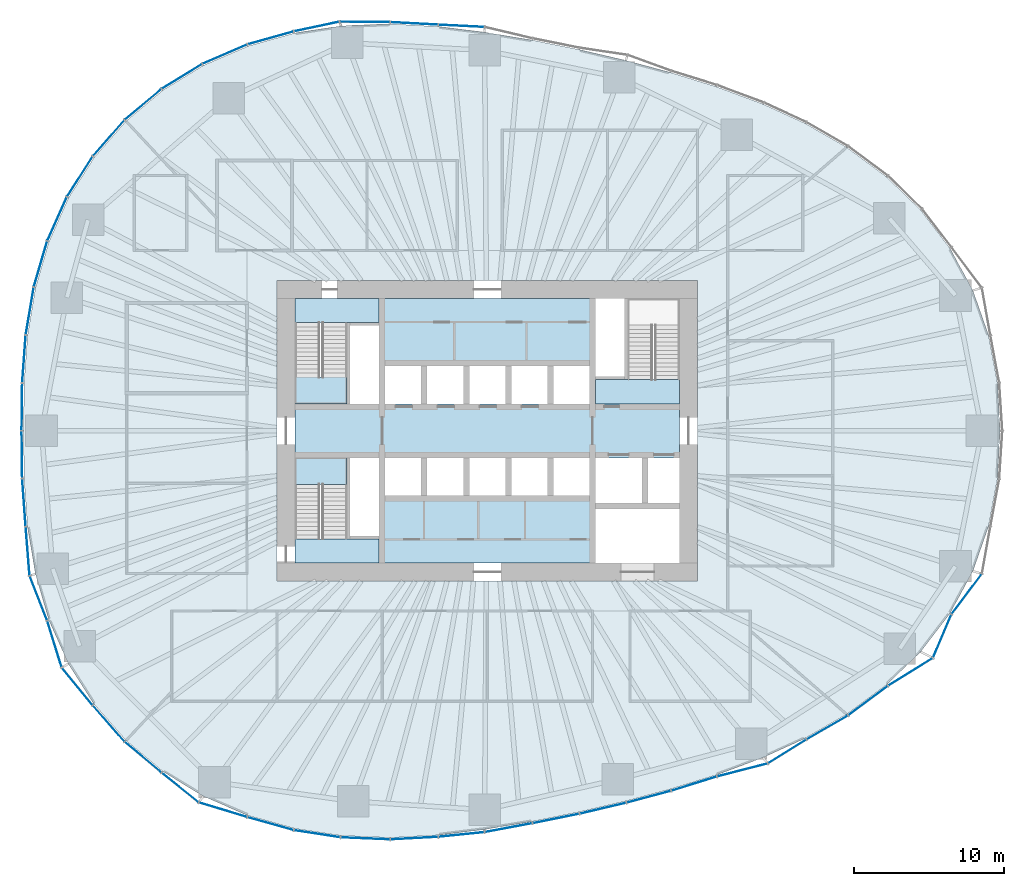
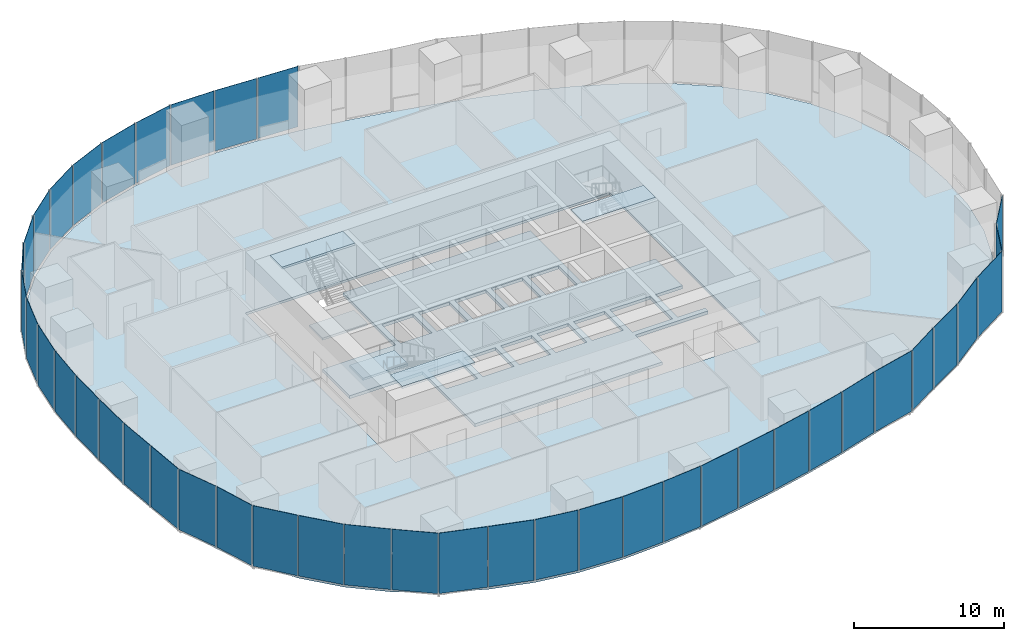
# One storey, part 8 of 20: 42 plates, 7 slabs, 17 elements without a shape of their own.
"""IFC4 building model written with IfcOpenShell, lengths in metres."""

import ifcopenshell
import ifcopenshell.guid

model = None  # the IFC model being written
_history = None  # IfcOwnerHistory: only IFC2X3 demands one
_inside = {}  # id of a spatial element -> (the spatial element, [elements in it])
_under = {}  # id of a project, library or spatial element -> (it, [spatial elements below it])
_declared = {}  # id of a project -> (the project, [libraries it declares])
_typed = {}  # id of a type object -> (the type object, [elements of that type])
_made_of = {}  # id of a material, layer set ... -> (it, [elements and type objects made of it])


def new_model(schema):
    """Start an empty IFC model of exactly this schema.

    Asked for "IFC4X3", IfcOpenShell would pick the latest addendum, in which some entities
    have other attributes; the version numbers below select the first issue.
    IFC2X3 requires an IfcOwnerHistory on every rooted entity: one is made here for all.
    """
    global model, _history
    if schema == "IFC4X3":
        model = ifcopenshell.file(schema_version=(4, 3, 0, 0))
    else:
        model = ifcopenshell.file(schema=schema)
    _inside.clear()
    _under.clear()
    _declared.clear()
    _typed.clear()
    _made_of.clear()
    _history = None
    if model.schema == "IFC2X3":
        org = make("IfcOrganization", Name="unknown")
        user = make(
            "IfcPersonAndOrganization",
            ThePerson=make("IfcPerson", FamilyName="unknown"),
            TheOrganization=org,
        )
        app = make(
            "IfcApplication",
            ApplicationDeveloper=org,
            Version="unknown",
            ApplicationFullName="unknown",
            ApplicationIdentifier="unknown",
        )
        _history = make(
            "IfcOwnerHistory",
            OwningUser=user,
            OwningApplication=app,
            ChangeAction="ADDED",
            CreationDate=0,
        )
    return model


def make(cls, **values):
    """One entity of the class cls with the attributes given. An attribute that is None is left unset."""
    return model.create_entity(
        cls, **{name: value for name, value in values.items() if value is not None}
    )


def rooted(cls, **values):
    """An entity with a GlobalId (a new one), such as an element, a storey or a relation."""
    return make(cls, GlobalId=ifcopenshell.guid.new(), OwnerHistory=_history, **values)


def si_unit(unit_type, name, prefix=None):
    """IfcSIUnit, for example si_unit("LENGTHUNIT", "METRE", prefix="MILLI")."""
    return make("IfcSIUnit", UnitType=unit_type, Prefix=prefix, Name=name)


def assignment(units):
    """IfcUnitAssignment: the units of a project."""
    return None if units is None else make("IfcUnitAssignment", Units=units)


def point(xyz):
    """IfcCartesianPoint."""
    return None if xyz is None else make("IfcCartesianPoint", Coordinates=xyz)


def direction(xyz):
    """IfcDirection."""
    return None if xyz is None else make("IfcDirection", DirectionRatios=xyz)


def frame(location, z_axis=None, x_axis=None):
    """IfcAxis2Placement3D, a coordinate frame: its origin and axes. An axis left out is left unset."""
    return make(
        "IfcAxis2Placement3D",
        Location=point(location),
        Axis=direction(z_axis),
        RefDirection=direction(x_axis),
    )


def frame_2d(location, x_axis=None):
    """IfcAxis2Placement2D, a coordinate frame in the plane: its origin and x axis."""
    return make(
        "IfcAxis2Placement2D", Location=point(location), RefDirection=direction(x_axis)
    )


def origin():
    """The frame at (0, 0, 0) with its axes left unset."""
    return frame((0.0, 0.0, 0.0))


def origin_2d():
    """The frame at (0, 0) in the plane with its x axis left unset."""
    return frame_2d((0.0, 0.0))


def place(relative_to, where):
    """IfcLocalPlacement: puts the frame where relative to a parent placement (None: the world)."""
    return make(
        "IfcLocalPlacement", PlacementRelTo=relative_to, RelativePlacement=where
    )


def context(
    kind, dimensions, precision=None, world=None, true_north=None, identifier=None
):
    """IfcGeometricRepresentationContext, for example the 3D "Model" context."""
    return make(
        "IfcGeometricRepresentationContext",
        ContextIdentifier=identifier,
        ContextType=kind,
        CoordinateSpaceDimension=dimensions,
        Precision=precision,
        WorldCoordinateSystem=world,
        TrueNorth=true_north,
    )


def subcontext(parent, identifier, kind, view, scale=None):
    """IfcGeometricRepresentationSubContext, for example "Body" below "Model"."""
    return make(
        "IfcGeometricRepresentationSubContext",
        ContextIdentifier=identifier,
        ContextType=kind,
        ParentContext=parent,
        TargetScale=scale,
        TargetView=view,
    )


def project(units=None, contexts=None):
    """IfcProject with its units and contexts."""
    return rooted(
        "IfcProject",
        Name="project",
        RepresentationContexts=contexts,
        UnitsInContext=assignment(units),
    )


def spatial(cls, under=None, at=None, **own):
    """A site, building, storey or space (cls), placed at a placement, below another one or the project."""
    s = rooted(cls, ObjectPlacement=at, **own)
    if under is not None:
        _under.setdefault(under.id(), (under, []))[1].append(s)
    return s


def polyline(points):
    """IfcPolyline through the points."""
    return make("IfcPolyline", Points=[point(p) for p in points])


def profile(cls, at=None, kind="AREA", **sizes):
    """A parametric profile (cls). Its sizes go by their IFC names, for example OverallWidth=200.0."""
    return make(cls, ProfileType=kind, Position=at, **sizes)


def rectangle(**sizes):
    """IfcRectangleProfileDef."""
    return profile("IfcRectangleProfileDef", **sizes)


def outline(outer, holes=None, kind="AREA"):
    """IfcArbitraryClosedProfileDef: a profile drawn as a closed curve; with holes, ...WithVoids."""
    if holes is None:
        return make("IfcArbitraryClosedProfileDef", ProfileType=kind, OuterCurve=outer)
    return make(
        "IfcArbitraryProfileDefWithVoids",
        ProfileType=kind,
        OuterCurve=outer,
        InnerCurves=holes,
    )


def extrude(swept, where, along, depth):
    """IfcExtrudedAreaSolid: the profile swept, set in the frame where, extruded along a direction by depth."""
    return make(
        "IfcExtrudedAreaSolid",
        SweptArea=swept,
        Position=where,
        ExtrudedDirection=direction(along),
        Depth=depth,
    )


def shape(context_of_items, identifier, shape_type, items):
    """IfcShapeRepresentation: the items that make up one representation, for example the "Body"."""
    return make(
        "IfcShapeRepresentation",
        ContextOfItems=context_of_items,
        RepresentationIdentifier=identifier,
        RepresentationType=shape_type,
        Items=items,
    )


def material(Name=None, Category=None):
    """IfcMaterial."""
    return make("IfcMaterial", Name=Name, Category=Category)


def layer(
    of_material, thickness, ventilated=None, Name=None, Category=None, Priority=None
):
    """IfcMaterialLayer: one layer of a wall or slab, of a material (None: an air gap)."""
    return make(
        "IfcMaterialLayer",
        Material=of_material,
        LayerThickness=thickness,
        IsVentilated=ventilated,
        Name=Name,
        Category=Category,
        Priority=Priority,
    )


def layer_set(layers, Name=None):
    """IfcMaterialLayerSet."""
    return make("IfcMaterialLayerSet", MaterialLayers=layers, LayerSetName=Name)


def made_of(thing, what):
    """Note that an element or type object is made of a material, layer set ...; save() writes the relation."""
    if what is not None:
        _made_of.setdefault(what.id(), (what, []))[1].append(thing)
    return thing


def type_object(cls, material=None, **own):
    """A type object (cls), such as IfcWallType, which elements share."""
    return made_of(rooted(cls, **own), material)


def element(
    cls,
    number,
    at=None,
    inside=None,
    cuts=None,
    type_object=None,
    material=None,
    context=None,
    identifier="Body",
    shape_type=None,
    held_by="IfcProductDefinitionShape",
    body=None,
    shapes=None,
    **own,
):
    """One element of the class cls, such as IfcWall. Its Tag is "e" and its number.

    at: its placement. inside: the storey or other place that contains it. cuts: it is an
    opening in that element (IfcRelVoidsElement). A single representation is given by context,
    identifier, shape_type and body (its items); several are given by shapes. held_by: the class
    of the entity that holds the representations. save() writes the other relations.
    """
    e = rooted(cls, Tag="e%d" % number, ObjectPlacement=at, **own)
    if body is not None:
        shapes = [shape(context, identifier, shape_type, body)]
    if shapes is not None:
        e.Representation = make(held_by, Representations=shapes)
    if inside is not None:
        _inside.setdefault(inside.id(), (inside, []))[1].append(e)
    if cuts is not None:
        rooted(
            "IfcRelVoidsElement", RelatingBuildingElement=cuts, RelatedOpeningElement=e
        )
    if type_object is not None:
        _typed.setdefault(type_object.id(), (type_object, []))[1].append(e)
    return made_of(e, material)


def aggregate(whole, parts):
    """IfcRelAggregates: a whole, such as a stair, and the parts it consists of."""
    return rooted("IfcRelAggregates", RelatingObject=whole, RelatedObjects=parts)


def save(model, path):
    """Write the relations noted so far, then the file.

    IfcRelAggregates (storeys below a building ...), IfcRelContainedInSpatialStructure (elements
    in a storey), IfcRelDefinesByType, IfcRelAssociatesMaterial and IfcRelDeclares: one each for
    every whole, place, type object, material and project.
    """
    for whole, parts in _under.values():
        aggregate(whole, parts)
    for where, things in _inside.values():
        rooted(
            "IfcRelContainedInSpatialStructure",
            RelatedElements=things,
            RelatingStructure=where,
        )
    for kind, things in _typed.values():
        rooted("IfcRelDefinesByType", RelatedObjects=things, RelatingType=kind)
    for what, things in _made_of.values():
        rooted("IfcRelAssociatesMaterial", RelatedObjects=things, RelatingMaterial=what)
    for by, libraries in _declared.values():
        rooted("IfcRelDeclares", RelatingContext=by, RelatedDefinitions=libraries)
    model.write(path)


model = new_model("IFC4")

# Units and contexts
model_context = context("Model", 3, precision=1e-05, world=origin(), true_north=direction((0.0, 1.0)))
body_context = subcontext(model_context, "Body", "Model", "MODEL_VIEW")
ifc_project = project(units=[si_unit("LENGTHUNIT", "METRE"), si_unit("AREAUNIT", "SQUARE_METRE"), si_unit("VOLUMEUNIT", "CUBIC_METRE"), si_unit("PLANEANGLEUNIT", "RADIAN"), si_unit("MASSUNIT", "GRAM", prefix="KILO")], contexts=[model_context])

# Site, building, storey
site_placement = place(None, origin())
site = spatial("IfcSite", under=ifc_project, at=site_placement, CompositionType="ELEMENT")
building_placement = place(site_placement, origin())
building = spatial("IfcBuilding", under=site, at=building_placement, Name="Ghaith Harvest Tower", CompositionType="ELEMENT")
storey_placement = place(building_placement, frame((0.0, 0.0, 40.0)))
storey = spatial("IfcBuildingStorey", under=building, at=storey_placement, Name="L08", CompositionType="ELEMENT", Elevation=40.0)

# Curtain wall, plates
ifc_material_1 = material(Name="Black anodised aluminium and fritted glass", Category="aluminium")
curtain_wall_type = type_object("IfcCurtainWallType", Name="CW-F CURTAIN WALL", PredefinedType="NOTDEFINED", material=ifc_material_1)
curtain_wall_1_placement = place(storey_placement, origin())
curtain_wall_1 = element("IfcCurtainWall", 1, at=curtain_wall_1_placement, inside=storey, type_object=curtain_wall_type, Name="Curtain wall CW-F bay 06 L08", PredefinedType="NOTDEFINED")
ifc_material_2 = material(Name="Glass, high-transmission fritted double glazed unit", Category="glass")
ifc_layer_1 = layer(ifc_material_2, 0.028076171875)
ifc_layer_set_1 = layer_set([ifc_layer_1], Name="CW-F VISION PANEL")
plate_type = type_object("IfcPlateType", Name="CW-F VISION PANEL", PredefinedType="CURTAIN_PANEL", material=ifc_layer_set_1)
plate_1_placement = place(storey_placement, frame((-1.722900390625, 26.953369140625, 0.080078125), z_axis=(0.0, 0.0, 1.0), x_axis=(-0.998771443485, 0.049554048048, 0.0)))
plate_1 = element("IfcPlate", 2, at=plate_1_placement, type_object=plate_type, Name="CW-F panel 1 bay 06 L08", PredefinedType="CURTAIN_PANEL", context=body_context, shape_type="SweptSolid", body=[
    extrude(rectangle(XDim=3.001708984375, YDim=0.028076171875, at=origin_2d()), origin(), (0.0, 0.0, 1.0), 4.919921875),
])
plate_2_placement = place(storey_placement, frame((-4.863525390625, 27.11572265625, 0.080078125), z_axis=(0.0, 0.0, 1.0), x_axis=(-0.99856250263, 0.053599704667, 0.0)))
plate_2 = element("IfcPlate", 3, at=plate_2_placement, type_object=plate_type, Name="CW-F panel 2 bay 06 L08", PredefinedType="CURTAIN_PANEL", context=body_context, shape_type="SweptSolid", body=[
    extrude(rectangle(XDim=3.1279296875, YDim=0.028076171875, at=origin_2d()), origin(), (0.0, 0.0, 1.0), 4.919921875),
])
plate_3_placement = place(storey_placement, frame((-8.150390625, 27.217041015625, 0.080078125), z_axis=(0.0, 0.0, 1.0), x_axis=(-0.999959609481, 0.008987736446, 0.0)))
plate_3 = element("IfcPlate", 4, at=plate_3_placement, type_object=plate_type, Name="CW-F panel 3 bay 06 L08", PredefinedType="CURTAIN_PANEL", context=body_context, shape_type="SweptSolid", body=[
    extrude(rectangle(XDim=3.29052734375, YDim=0.028076171875, at=origin_2d()), origin(), (0.0, 0.0, 1.0), 4.919921875),
])
aggregate(curtain_wall_1, [plate_1, plate_2, plate_3])

curtain_wall_2_placement = place(storey_placement, origin())
curtain_wall_2 = element("IfcCurtainWall", 5, at=curtain_wall_2_placement, inside=storey, type_object=curtain_wall_type, Name="Curtain wall CW-F bay 07 L08", PredefinedType="NOTDEFINED")
plate_4_placement = place(storey_placement, frame((-11.358154296875, 26.908447265625, 0.080078125), z_axis=(0.0, 0.0, 1.0), x_axis=(-0.978149320779, -0.207903598476, 0.0)))
plate_4 = element("IfcPlate", 6, at=plate_4_placement, type_object=plate_type, Name="CW-F panel 1 bay 07 L08", PredefinedType="CURTAIN_PANEL", context=body_context, shape_type="SweptSolid", body=[
    extrude(rectangle(XDim=3.032958984375, YDim=0.028076171875, at=origin_2d()), origin(), (0.0, 0.0, 1.0), 4.919921875),
])
plate_5_placement = place(storey_placement, frame((-14.42578125, 26.150634765625, 0.080078125), z_axis=(0.0, 0.0, 1.0), x_axis=(-0.96272968243, -0.270465448012, 0.0)))
plate_5 = element("IfcPlate", 7, at=plate_5_placement, type_object=plate_type, Name="CW-F panel 2 bay 07 L08", PredefinedType="CURTAIN_PANEL", context=body_context, shape_type="SweptSolid", body=[
    extrude(rectangle(XDim=3.13037109375, YDim=0.028076171875, at=origin_2d()), origin(), (0.0, 0.0, 1.0), 4.919921875),
])
plate_6_placement = place(storey_placement, frame((-17.46923828125, 25.0693359375, 0.080078125), z_axis=(0.0, 0.0, 1.0), x_axis=(-0.918002845228, -0.396573796605, 0.0)))
plate_6 = element("IfcPlate", 8, at=plate_6_placement, type_object=plate_type, Name="CW-F panel 3 bay 07 L08", PredefinedType="CURTAIN_PANEL", context=body_context, shape_type="SweptSolid", body=[
    extrude(rectangle(XDim=3.18359375, YDim=0.028076171875, at=origin_2d()), origin(), (0.0, 0.0, 1.0), 4.919921875),
])
aggregate(curtain_wall_2, [plate_4, plate_5, plate_6])

curtain_wall_3_placement = place(storey_placement, origin())
curtain_wall_3 = element("IfcCurtainWall", 9, at=curtain_wall_3_placement, inside=storey, type_object=curtain_wall_type, Name="Curtain wall CW-F bay 08 L08", PredefinedType="NOTDEFINED")
plate_7_placement = place(storey_placement, frame((-20.324462890625, 23.590087890625, 0.080078125), z_axis=(0.0, 0.0, 1.0), x_axis=(-0.852527741552, -0.522681977769, 0.0)))
plate_7 = element("IfcPlate", 10, at=plate_7_placement, type_object=plate_type, Name="CW-F panel 1 bay 08 L08", PredefinedType="CURTAIN_PANEL", context=body_context, shape_type="SweptSolid", body=[
    extrude(rectangle(XDim=3.10400390625, YDim=0.028076171875, at=origin_2d()), origin(), (0.0, 0.0, 1.0), 4.919921875),
])
plate_8_placement = place(storey_placement, frame((-22.91064453125, 21.727294921875, 0.080078125), z_axis=(0.0, 0.0, 1.0), x_axis=(-0.766155215147, -0.642655573619, 0.0)))
plate_8 = element("IfcPlate", 11, at=plate_8_placement, type_object=plate_type, Name="CW-F panel 2 bay 08 L08", PredefinedType="CURTAIN_PANEL", context=body_context, shape_type="SweptSolid", body=[
    extrude(rectangle(XDim=3.1279296875, YDim=0.028076171875, at=origin_2d()), origin(), (0.0, 0.0, 1.0), 4.919921875),
])
plate_9_placement = place(storey_placement, frame((-25.201171875, 19.4853515625, 0.080078125), z_axis=(0.0, 0.0, 1.0), x_axis=(-0.659215937547, -0.751953687194, 0.0)))
plate_9 = element("IfcPlate", 12, at=plate_9_placement, type_object=plate_type, Name="CW-F panel 3 bay 08 L08", PredefinedType="CURTAIN_PANEL", context=body_context, shape_type="SweptSolid", body=[
    extrude(rectangle(XDim=3.1416015625, YDim=0.028076171875, at=origin_2d()), origin(), (0.0, 0.0, 1.0), 4.919921875),
])
aggregate(curtain_wall_3, [plate_7, plate_8, plate_9])

curtain_wall_4_placement = place(storey_placement, origin())
curtain_wall_4 = element("IfcCurtainWall", 13, at=curtain_wall_4_placement, inside=storey, type_object=curtain_wall_type, Name="Curtain wall CW-F bay 09 L08", PredefinedType="NOTDEFINED")
plate_10_placement = place(storey_placement, frame((-27.124755859375, 16.919677734375, 0.080078125), z_axis=(0.0, 0.0, 1.0), x_axis=(-0.536779195227, -0.843722759899, 0.0)))
plate_10 = element("IfcPlate", 14, at=plate_10_placement, type_object=plate_type, Name="CW-F panel 1 bay 09 L08", PredefinedType="CURTAIN_PANEL", context=body_context, shape_type="SweptSolid", body=[
    extrude(rectangle(XDim=3.13037109375, YDim=0.028076171875, at=origin_2d()), origin(), (0.0, 0.0, 1.0), 4.919921875),
])
plate_11_placement = place(storey_placement, frame((-28.639404296875, 14.100341796875, 0.080078125), z_axis=(0.0, 0.0, 1.0), x_axis=(-0.407134417018, -0.913368253488, 0.0)))
plate_11 = element("IfcPlate", 15, at=plate_11_placement, type_object=plate_type, Name="CW-F panel 2 bay 09 L08", PredefinedType="CURTAIN_PANEL", context=body_context, shape_type="SweptSolid", body=[
    extrude(rectangle(XDim=3.1279296875, YDim=0.028076171875, at=origin_2d()), origin(), (0.0, 0.0, 1.0), 4.919921875),
])
plate_12_placement = place(storey_placement, frame((-29.740478515625, 11.101318359375, 0.080078125), z_axis=(0.0, 0.0, 1.0), x_axis=(-0.280296918708, -0.959913348882, 0.0)))
plate_12 = element("IfcPlate", 16, at=plate_12_placement, type_object=plate_type, Name="CW-F panel 3 bay 09 L08", PredefinedType="CURTAIN_PANEL", context=body_context, shape_type="SweptSolid", body=[
    extrude(rectangle(XDim=3.1162109375, YDim=0.028076171875, at=origin_2d()), origin(), (0.0, 0.0, 1.0), 4.919921875),
])
aggregate(curtain_wall_4, [plate_10, plate_11, plate_12])

curtain_wall_5_placement = place(storey_placement, origin())
curtain_wall_5 = element("IfcCurtainWall", 17, at=curtain_wall_5_placement, inside=storey, type_object=curtain_wall_type, Name="Curtain wall CW-F bay 10 L08", PredefinedType="NOTDEFINED")
plate_13_placement = place(storey_placement, frame((-30.456298828125, 7.971435546875, 0.080078125), z_axis=(0.0, 0.0, 1.0), x_axis=(-0.165581316368, -0.986196140567, 0.0)))
plate_13 = element("IfcPlate", 18, at=plate_13_placement, type_object=plate_type, Name="CW-F panel 1 bay 10 L08", PredefinedType="CURTAIN_PANEL", context=body_context, shape_type="SweptSolid", body=[
    extrude(rectangle(XDim=3.156494140625, YDim=0.028076171875, at=origin_2d()), origin(), (0.0, 0.0, 1.0), 4.919921875),
])
plate_14_placement = place(storey_placement, frame((-30.84033203125, 4.77685546875, 0.080078125), z_axis=(0.0, 0.0, 1.0), x_axis=(-0.072420546123, -0.997374184797, 0.0)))
plate_14 = element("IfcPlate", 19, at=plate_14_placement, type_object=plate_type, Name="CW-F panel 2 bay 10 L08", PredefinedType="CURTAIN_PANEL", context=body_context, shape_type="SweptSolid", body=[
    extrude(rectangle(XDim=3.1259765625, YDim=0.028076171875, at=origin_2d()), origin(), (0.0, 0.0, 1.0), 4.919921875),
])
plate_15_placement = place(storey_placement, frame((-30.975830078125, 1.589111328125, 0.080078125), z_axis=(0.0, 0.0, 1.0), x_axis=(-0.012133206476, -0.999926389941, 0.0)))
plate_15 = element("IfcPlate", 20, at=plate_15_placement, type_object=plate_type, Name="CW-F panel 3 bay 10 L08", PredefinedType="CURTAIN_PANEL", context=body_context, shape_type="SweptSolid", body=[
    extrude(rectangle(XDim=3.09814453125, YDim=0.028076171875, at=origin_2d()), origin(), (0.0, 0.0, 1.0), 4.919921875),
])
aggregate(curtain_wall_5, [plate_13, plate_14, plate_15])

curtain_wall_6_placement = place(storey_placement, origin())
curtain_wall_6 = element("IfcCurtainWall", 21, at=curtain_wall_6_placement, inside=storey, type_object=curtain_wall_type, Name="Curtain wall CW-F bay 11 L08", PredefinedType="NOTDEFINED")
plate_16_placement = place(storey_placement, frame((-30.975830078125, -1.589111328125, 0.080078125), z_axis=(0.0, 0.0, 1.0), x_axis=(0.012133206773, -0.999926389937, 0.0)))
plate_16 = element("IfcPlate", 22, at=plate_16_placement, type_object=plate_type, Name="CW-F panel 1 bay 11 L08", PredefinedType="CURTAIN_PANEL", context=body_context, shape_type="SweptSolid", body=[
    extrude(rectangle(XDim=3.09814453125, YDim=0.028076171875, at=origin_2d()), origin(), (0.0, 0.0, 1.0), 4.919921875),
])
plate_17_placement = place(storey_placement, frame((-30.84033203125, -4.77685546875, 0.080078125), z_axis=(0.0, 0.0, 1.0), x_axis=(0.072420546349, -0.99737418478, 0.0)))
plate_17 = element("IfcPlate", 23, at=plate_17_placement, type_object=plate_type, Name="CW-F panel 2 bay 11 L08", PredefinedType="CURTAIN_PANEL", context=body_context, shape_type="SweptSolid", body=[
    extrude(rectangle(XDim=3.1259765625, YDim=0.028076171875, at=origin_2d()), origin(), (0.0, 0.0, 1.0), 4.919921875),
])
plate_18_placement = place(storey_placement, frame((-30.594482421875, -8.01513671875, 0.080078125), z_axis=(0.0, 0.0, 1.0), x_axis=(0.078867084181, -0.996885140341, 0.0)))
plate_18 = element("IfcPlate", 24, at=plate_18_placement, type_object=plate_type, Name="CW-F panel 3 bay 11 L08", PredefinedType="CURTAIN_PANEL", context=body_context, shape_type="SweptSolid", body=[
    extrude(rectangle(XDim=3.209716796875, YDim=0.028076171875, at=origin_2d()), origin(), (0.0, 0.0, 1.0), 4.919921875),
])
aggregate(curtain_wall_6, [plate_16, plate_17, plate_18])

curtain_wall_7_placement = place(storey_placement, origin())
curtain_wall_7 = element("IfcCurtainWall", 25, at=curtain_wall_7_placement, inside=storey, type_object=curtain_wall_type, Name="Curtain wall CW-F bay 12 L08", PredefinedType="NOTDEFINED")
plate_19_placement = place(storey_placement, frame((-29.878662109375, -11.14501953125, 0.080078125), z_axis=(0.0, 0.0, 1.0), x_axis=(0.366039738151, -0.930599220983, 0.0)))
plate_19 = element("IfcPlate", 26, at=plate_19_placement, type_object=plate_type, Name="CW-F panel 1 bay 12 L08", PredefinedType="CURTAIN_PANEL", context=body_context, shape_type="SweptSolid", body=[
    extrude(rectangle(XDim=3.122802734375, YDim=0.028076171875, at=origin_2d()), origin(), (0.0, 0.0, 1.0), 4.919921875),
])
plate_20_placement = place(storey_placement, frame((-28.809814453125, -14.195068359375, 0.080078125), z_axis=(0.0, 0.0, 1.0), x_axis=(0.295583054454, -0.95531704576, 0.0)))
plate_20 = element("IfcPlate", 27, at=plate_20_placement, type_object=plate_type, Name="CW-F panel 2 bay 12 L08", PredefinedType="CURTAIN_PANEL", context=body_context, shape_type="SweptSolid", body=[
    extrude(rectangle(XDim=3.185546875, YDim=0.028076171875, at=origin_2d()), origin(), (0.0, 0.0, 1.0), 4.919921875),
])
plate_21_placement = place(storey_placement, frame((-27.295166015625, -17.014404296875, 0.080078125), z_axis=(0.0, 0.0, 1.0), x_axis=(0.633789860881, -0.773505276158, 0.0)))
plate_21 = element("IfcPlate", 28, at=plate_21_placement, type_object=plate_type, Name="CW-F panel 3 bay 12 L08", PredefinedType="CURTAIN_PANEL", context=body_context, shape_type="SweptSolid", body=[
    extrude(rectangle(XDim=3.1767578125, YDim=0.028076171875, at=origin_2d()), origin(), (0.0, 0.0, 1.0), 4.919921875),
])
aggregate(curtain_wall_7, [plate_19, plate_20, plate_21])

curtain_wall_8_placement = place(storey_placement, origin())
curtain_wall_8 = element("IfcCurtainWall", 29, at=curtain_wall_8_placement, inside=storey, type_object=curtain_wall_type, Name="Curtain wall CW-F bay 13 L08", PredefinedType="NOTDEFINED")
plate_22_placement = place(storey_placement, frame((-25.201171875, -19.4853515625, 0.080078125), z_axis=(0.0, 0.0, 1.0), x_axis=(0.659215937337, -0.751953687378, 0.0)))
plate_22 = element("IfcPlate", 30, at=plate_22_placement, type_object=plate_type, Name="CW-F panel 1 bay 13 L08", PredefinedType="CURTAIN_PANEL", context=body_context, shape_type="SweptSolid", body=[
    extrude(rectangle(XDim=3.1416015625, YDim=0.028076171875, at=origin_2d()), origin(), (0.0, 0.0, 1.0), 4.919921875),
])
plate_23_placement = place(storey_placement, frame((-22.91064453125, -21.727294921875, 0.080078125), z_axis=(0.0, 0.0, 1.0), x_axis=(0.76615521545, -0.642655573258, 0.0)))
plate_23 = element("IfcPlate", 31, at=plate_23_placement, type_object=plate_type, Name="CW-F panel 2 bay 13 L08", PredefinedType="CURTAIN_PANEL", context=body_context, shape_type="SweptSolid", body=[
    extrude(rectangle(XDim=3.1279296875, YDim=0.028076171875, at=origin_2d()), origin(), (0.0, 0.0, 1.0), 4.919921875),
])
plate_24_placement = place(storey_placement, frame((-20.447265625, -23.748046875, 0.080078125), z_axis=(0.0, 0.0, 1.0), x_axis=(0.780122054158, -0.625627349639, 0.0)))
plate_24 = element("IfcPlate", 32, at=plate_24_placement, type_object=plate_type, Name="CW-F panel 3 bay 13 L08", PredefinedType="CURTAIN_PANEL", context=body_context, shape_type="SweptSolid", body=[
    extrude(rectangle(XDim=3.085205078125, YDim=0.028076171875, at=origin_2d()), origin(), (0.0, 0.0, 1.0), 4.919921875),
])
aggregate(curtain_wall_8, [plate_22, plate_23, plate_24])

curtain_wall_9_placement = place(storey_placement, origin())
curtain_wall_9 = element("IfcCurtainWall", 33, at=curtain_wall_9_placement, inside=storey, type_object=curtain_wall_type, Name="Curtain wall CW-F bay 14 L08", PredefinedType="NOTDEFINED")
plate_25_placement = place(storey_placement, frame((-17.591796875, -25.227294921875, 0.080078125), z_axis=(0.0, 0.0, 1.0), x_axis=(0.95734234218, -0.288956121011, 0.0)))
plate_25 = element("IfcPlate", 34, at=plate_25_placement, type_object=plate_type, Name="CW-F panel 1 bay 14 L08", PredefinedType="CURTAIN_PANEL", context=body_context, shape_type="SweptSolid", body=[
    extrude(rectangle(XDim=3.3056640625, YDim=0.028076171875, at=origin_2d()), origin(), (0.0, 0.0, 1.0), 4.919921875),
])
plate_26_placement = place(storey_placement, frame((-14.42578125, -26.150634765625, 0.080078125), z_axis=(0.0, 0.0, 1.0), x_axis=(0.962729682704, -0.270465447038, 0.0)))
plate_26 = element("IfcPlate", 35, at=plate_26_placement, type_object=plate_type, Name="CW-F panel 2 bay 14 L08", PredefinedType="CURTAIN_PANEL", context=body_context, shape_type="SweptSolid", body=[
    extrude(rectangle(XDim=3.13037109375, YDim=0.028076171875, at=origin_2d()), origin(), (0.0, 0.0, 1.0), 4.919921875),
])
plate_27_placement = place(storey_placement, frame((-11.327392578125, -26.82373046875, 0.080078125), z_axis=(0.0, 0.0, 1.0), x_axis=(0.98836987371, -0.152069039392, 0.0)))
plate_27 = element("IfcPlate", 36, at=plate_27_placement, type_object=plate_type, Name="CW-F panel 3 bay 14 L08", PredefinedType="CURTAIN_PANEL", context=body_context, shape_type="SweptSolid", body=[
    extrude(rectangle(XDim=3.0625, YDim=0.028076171875, at=origin_2d()), origin(), (0.0, 0.0, 1.0), 4.919921875),
])
aggregate(curtain_wall_9, [plate_25, plate_26, plate_27])

curtain_wall_10_placement = place(storey_placement, origin())
curtain_wall_10 = element("IfcCurtainWall", 37, at=curtain_wall_10_placement, inside=storey, type_object=curtain_wall_type, Name="Curtain wall CW-F bay 15 L08", PredefinedType="NOTDEFINED")
plate_28_placement = place(storey_placement, frame((-8.119873046875, -27.13232421875, 0.080078125), z_axis=(0.0, 0.0, 1.0), x_axis=(0.999118988518, -0.041967210794, 0.0)))
plate_28 = element("IfcPlate", 38, at=plate_28_placement, type_object=plate_type, Name="CW-F panel 1 bay 15 L08", PredefinedType="CURTAIN_PANEL", context=body_context, shape_type="SweptSolid", body=[
    extrude(rectangle(XDim=3.232177734375, YDim=0.028076171875, at=origin_2d()), origin(), (0.0, 0.0, 1.0), 4.919921875),
])
plate_29_placement = place(storey_placement, frame((-4.863525390625, -27.11572265625, 0.080078125), z_axis=(0.0, 0.0, 1.0), x_axis=(0.998562502616, 0.053599704928, 0.0)))
plate_29 = element("IfcPlate", 39, at=plate_29_placement, type_object=plate_type, Name="CW-F panel 2 bay 15 L08", PredefinedType="CURTAIN_PANEL", context=body_context, shape_type="SweptSolid", body=[
    extrude(rectangle(XDim=3.1279296875, YDim=0.028076171875, at=origin_2d()), origin(), (0.0, 0.0, 1.0), 4.919921875),
])
plate_30_placement = place(storey_placement, frame((-1.722412109375, -26.87353515625, 0.080078125), z_axis=(0.0, 0.0, 1.0), x_axis=(0.99488222177, 0.101041401443, 0.0)))
plate_30 = element("IfcPlate", 40, at=plate_30_placement, type_object=plate_type, Name="CW-F panel 3 bay 15 L08", PredefinedType="CURTAIN_PANEL", context=body_context, shape_type="SweptSolid", body=[
    extrude(rectangle(XDim=3.014892578125, YDim=0.028076171875, at=origin_2d()), origin(), (0.0, 0.0, 1.0), 4.919921875),
])
aggregate(curtain_wall_10, [plate_28, plate_29, plate_30])

curtain_wall_11_placement = place(storey_placement, origin())
curtain_wall_11 = element("IfcCurtainWall", 41, at=curtain_wall_11_placement, inside=storey, type_object=curtain_wall_type, Name="Curtain wall CW-F bay 16 L08", PredefinedType="NOTDEFINED")
plate_31_placement = place(storey_placement, frame((1.4130859375, -26.420166015625, 0.080078125), z_axis=(0.0, 0.0, 1.0), x_axis=(0.983131230266, 0.182901569365, 0.0)))
plate_31 = element("IfcPlate", 42, at=plate_31_placement, type_object=plate_type, Name="CW-F panel 1 bay 16 L08", PredefinedType="CURTAIN_PANEL", context=body_context, shape_type="SweptSolid", body=[
    extrude(rectangle(XDim=3.166748046875, YDim=0.028076171875, at=origin_2d()), origin(), (0.0, 0.0, 1.0), 4.919921875),
])
plate_32_placement = place(storey_placement, frame((4.5732421875, -25.809326171875, 0.080078125), z_axis=(0.0, 0.0, 1.0), x_axis=(0.98043234808, 0.196856320293, 0.0)))
plate_32 = element("IfcPlate", 43, at=plate_32_placement, type_object=plate_type, Name="CW-F panel 2 bay 16 L08", PredefinedType="CURTAIN_PANEL", context=body_context, shape_type="SweptSolid", body=[
    extrude(rectangle(XDim=3.1103515625, YDim=0.028076171875, at=origin_2d()), origin(), (0.0, 0.0, 1.0), 4.919921875),
])
plate_33_placement = place(storey_placement, frame((7.697265625, -25.129150390625, 0.080078125), z_axis=(0.0, 0.0, 1.0), x_axis=(0.973564757908, 0.228411169079, 0.0)))
plate_33 = element("IfcPlate", 44, at=plate_33_placement, type_object=plate_type, Name="CW-F panel 3 bay 16 L08", PredefinedType="CURTAIN_PANEL", context=body_context, shape_type="SweptSolid", body=[
    extrude(rectangle(XDim=3.125, YDim=0.028076171875, at=origin_2d()), origin(), (0.0, 0.0, 1.0), 4.919921875),
])
aggregate(curtain_wall_11, [plate_31, plate_32, plate_33])

curtain_wall_12_placement = place(storey_placement, origin())
curtain_wall_12 = element("IfcCurtainWall", 45, at=curtain_wall_12_placement, inside=storey, type_object=curtain_wall_type, Name="Curtain wall CW-F bay 17 L08", PredefinedType="NOTDEFINED")
plate_34_placement = place(storey_placement, frame((10.745849609375, -24.36376953125, 0.080078125), z_axis=(0.0, 0.0, 1.0), x_axis=(0.965848435029, 0.259107700681, 0.0)))
plate_34 = element("IfcPlate", 46, at=plate_34_placement, type_object=plate_type, Name="CW-F panel 1 bay 17 L08", PredefinedType="CURTAIN_PANEL", context=body_context, shape_type="SweptSolid", body=[
    extrude(rectangle(XDim=3.002197265625, YDim=0.028076171875, at=origin_2d()), origin(), (0.0, 0.0, 1.0), 4.919921875),
])
plate_35_placement = place(storey_placement, frame((13.760986328125, -23.490234375, 0.080078125), z_axis=(0.0, 0.0, 1.0), x_axis=(0.954988265447, 0.296643578827, 0.0)))
plate_35 = element("IfcPlate", 47, at=plate_35_placement, type_object=plate_type, Name="CW-F panel 2 bay 17 L08", PredefinedType="CURTAIN_PANEL", context=body_context, shape_type="SweptSolid", body=[
    extrude(rectangle(XDim=3.1171875, YDim=0.028076171875, at=origin_2d()), origin(), (0.0, 0.0, 1.0), 4.919921875),
])
plate_36_placement = place(storey_placement, frame((16.980712890625, -22.580322265625, 0.080078125), z_axis=(0.0, 0.0, 1.0), x_axis=(0.968451429434, 0.249202385275, 0.0)))
plate_36 = element("IfcPlate", 48, at=plate_36_placement, type_object=plate_type, Name="CW-F panel 3 bay 17 L08", PredefinedType="CURTAIN_PANEL", context=body_context, shape_type="SweptSolid", body=[
    extrude(rectangle(XDim=3.416748046875, YDim=0.028076171875, at=origin_2d()), origin(), (0.0, 0.0, 1.0), 4.919921875),
])
aggregate(curtain_wall_12, [plate_34, plate_35, plate_36])

curtain_wall_13_placement = place(storey_placement, origin())
curtain_wall_13 = element("IfcCurtainWall", 49, at=curtain_wall_13_placement, inside=storey, type_object=curtain_wall_type, Name="Curtain wall CW-F bay 18 L08", PredefinedType="NOTDEFINED")
plate_37_placement = place(storey_placement, frame((19.954833984375, -21.348876953125, 0.080078125), z_axis=(0.0, 0.0, 1.0), x_axis=(0.849360700005, 0.527812846837, 0.0)))
plate_37 = element("IfcPlate", 50, at=plate_37_placement, type_object=plate_type, Name="CW-F panel 1 bay 18 L08", PredefinedType="CURTAIN_PANEL", context=body_context, shape_type="SweptSolid", body=[
    extrude(rectangle(XDim=2.935791015625, YDim=0.028076171875, at=origin_2d()), origin(), (0.0, 0.0, 1.0), 4.919921875),
])
plate_38_placement = place(storey_placement, frame((22.626953125, -19.750244140625, 0.080078125), z_axis=(0.0, 0.0, 1.0), x_axis=(0.866159208454, 0.499768171866, 0.0)))
plate_38 = element("IfcPlate", 51, at=plate_38_placement, type_object=plate_type, Name="CW-F panel 2 bay 18 L08", PredefinedType="CURTAIN_PANEL", context=body_context, shape_type="SweptSolid", body=[
    extrude(rectangle(XDim=3.1328125, YDim=0.028076171875, at=origin_2d()), origin(), (0.0, 0.0, 1.0), 4.919921875),
])
plate_39_placement = place(storey_placement, frame((25.34619140625, -17.96142578125, 0.080078125), z_axis=(0.0, 0.0, 1.0), x_axis=(0.802866788713, 0.596158468515, 0.0)))
plate_39 = element("IfcPlate", 52, at=plate_39_placement, type_object=plate_type, Name="CW-F panel 3 bay 18 L08", PredefinedType="CURTAIN_PANEL", context=body_context, shape_type="SweptSolid", body=[
    extrude(rectangle(XDim=3.2275390625, YDim=0.028076171875, at=origin_2d()), origin(), (0.0, 0.0, 1.0), 4.919921875),
])
aggregate(curtain_wall_13, [plate_37, plate_38, plate_39])

curtain_wall_14_placement = place(storey_placement, origin())
curtain_wall_14 = element("IfcCurtainWall", 53, at=curtain_wall_14_placement, inside=storey, type_object=curtain_wall_type, Name="Curtain wall CW-F bay 19 L08", PredefinedType="NOTDEFINED")
plate_40_placement = place(storey_placement, frame((28.166748046875, -16.05126953125, 0.080078125), z_axis=(0.0, 0.0, 1.0), x_axis=(0.850245604669, 0.526386181184, 0.0)))
plate_40 = element("IfcPlate", 54, at=plate_40_placement, type_object=plate_type, Name="CW-F panel 1 bay 19 L08", PredefinedType="CURTAIN_PANEL", context=body_context, shape_type="SweptSolid", body=[
    extrude(rectangle(XDim=3.431884765625, YDim=0.028076171875, at=origin_2d()), origin(), (0.0, 0.0, 1.0), 4.919921875),
])
plate_41_placement = place(storey_placement, frame((30.2783203125, -13.6708984375, 0.080078125), z_axis=(0.0, 0.0, 1.0), x_axis=(0.390980294296, 0.920399049039, 0.0)))
plate_41 = element("IfcPlate", 55, at=plate_41_placement, type_object=plate_type, Name="CW-F panel 2 bay 19 L08", PredefinedType="CURTAIN_PANEL", context=body_context, shape_type="SweptSolid", body=[
    extrude(rectangle(XDim=3.083740234375, YDim=0.028076171875, at=origin_2d()), origin(), (0.0, 0.0, 1.0), 4.919921875),
])
plate_42_placement = place(storey_placement, frame((31.91015625, -10.865234375, 0.080078125), z_axis=(0.0, 0.0, 1.0), x_axis=(0.600454091429, 0.799659229976, 0.0)))
plate_42 = element("IfcPlate", 56, at=plate_42_placement, type_object=plate_type, Name="CW-F panel 3 bay 19 L08", PredefinedType="CURTAIN_PANEL", context=body_context, shape_type="SweptSolid", body=[
    extrude(rectangle(XDim=3.295654296875, YDim=0.028076171875, at=origin_2d()), origin(), (0.0, 0.0, 1.0), 4.919921875),
])
aggregate(curtain_wall_14, [plate_40, plate_41, plate_42])

# Slabs
ifc_material_3 = material(Name="Concrete C40/50", Category="concrete")
ifc_layer_2 = layer(ifc_material_3, 0.199951171875)
ifc_layer_set_2 = layer_set([ifc_layer_2], Name="FLOOR SLAB 200")
slab_type_1 = type_object("IfcSlabType", Name="FLOOR SLAB 200", PredefinedType="FLOOR", material=ifc_layer_set_2)
slab_1_placement = place(storey_placement, frame((0.0, 0.0, -0.199951171875)))
element("IfcSlab", 57, at=slab_1_placement, inside=storey, type_object=slab_type_1, Name="Floor slab L08", PredefinedType="FLOOR", context=body_context, shape_type="SweptSolid", body=[
    extrude(outline(polyline([(34.125, 0.0), (33.95849609375, 3.194091796875), (33.37158203125, 6.333984375), (32.318359375, 9.3408203125), (30.78515625, 12.1708984375), (28.840087890625, 14.708984375), (26.572509765625, 16.9111328125), (23.92431640625, 18.873046875), (21.149169921875, 20.469482421875), (18.34521484375, 21.7548828125), (15.22119140625, 22.916259765625), (12.1796875, 23.857666015625), (9.21533203125, 24.65087890625), (6.10888671875, 25.378662109375), (2.99560546875, 26.004150390625), (-0.181396484375, 26.527099609375), (-3.24755859375, 26.91064453125), (-6.4375, 27.0849609375), (-9.733642578125, 26.949951171875), (-12.828125, 26.476806640625), (-15.907958984375, 25.614501953125), (-18.8935546875, 24.32763671875), (-21.59912109375, 22.671142578125), (-24.04833984375, 20.618408203125), (-26.16455078125, 18.20556640625), (-27.881591796875, 15.507080078125), (-29.182373046875, 12.587890625), (-30.073974609375, 9.531005859375), (-30.606689453125, 6.35107421875), (-30.837158203125, 3.165771484375), (-30.875, 0.0), (-30.837158203125, -3.165771484375), (-30.606689453125, -6.35107421875), (-30.073974609375, -9.531005859375), (-29.182373046875, -12.587890625), (-27.881591796875, -15.507080078125), (-26.16455078125, -18.20556640625), (-24.04833984375, -20.618408203125), (-21.59912109375, -22.671142578125), (-18.8935546875, -24.32763671875), (-15.907958984375, -25.614501953125), (-12.828125, -26.476806640625), (-9.733642578125, -26.949951171875), (-6.4375, -27.0849609375), (-3.24755859375, -26.91064453125), (-0.181396484375, -26.527099609375), (2.99560546875, -26.004150390625), (6.10888671875, -25.378662109375), (9.21533203125, -24.65087890625), (12.1796875, -23.857666015625), (15.22119140625, -22.916259765625), (18.34521484375, -21.7548828125), (21.149169921875, -20.469482421875), (23.92431640625, -18.873046875), (26.572509765625, -16.9111328125), (28.840087890625, -14.708984375), (30.78515625, -12.1708984375), (32.318359375, -9.3408203125), (33.37158203125, -6.333984375), (33.95849609375, -3.194091796875), (34.125, 0.0)]), holes=[polyline([(-14.0, -10.0), (14.0, -10.0), (14.0, 10.0), (-14.0, 10.0), (-14.0, -10.0)])]), origin(), (0.0, 0.0, 1.0), 0.199951171875),
])
ifc_material_4 = material(Name="Concrete C40/50", Category="concrete")
ifc_layer_3 = layer(ifc_material_4, 0.25)
ifc_layer_set_3 = layer_set([ifc_layer_3], Name="FLOOR SLAB 250")
slab_type_2 = type_object("IfcSlabType", Name="FLOOR SLAB 250", PredefinedType="FLOOR", material=ifc_layer_set_3)
slab_2_placement = place(storey_placement, frame((0.0, 0.0, -0.25)))
element("IfcSlab", 58, at=slab_2_placement, inside=storey, type_object=slab_type_2, Name="Core slab L08", PredefinedType="FLOOR", context=body_context, shape_type="SweptSolid", body=[
    extrude(outline(polyline([(-12.800048828125, 1.800048828125), (-7.199951171875, 1.800048828125), (-7.199951171875, 8.800048828125), (7.199951171875, 8.800048828125), (7.199951171875, 1.800048828125), (12.800048828125, 1.800048828125), (12.800048828125, -1.800048828125), (10.699951171875, -1.800048828125), (10.699951171875, -4.800048828125), (12.800048828125, -4.800048828125), (12.800048828125, -5.199951171875), (7.199951171875, -5.199951171875), (7.199951171875, -8.800048828125), (-7.199951171875, -8.800048828125), (-7.199951171875, -1.800048828125), (-12.800048828125, -1.800048828125), (-12.800048828125, 1.800048828125)]), holes=[polyline([(-4.39990234375, -4.300048828125), (-4.39990234375, -1.800048828125), (-6.800048828125, -1.800048828125), (-6.800048828125, -4.300048828125), (-4.39990234375, -4.300048828125)]), polyline([(-1.60009765625, -4.300048828125), (-1.60009765625, -1.800048828125), (-4.0, -1.800048828125), (-4.0, -4.300048828125), (-1.60009765625, -4.300048828125)]), polyline([(1.199951171875, -4.300048828125), (1.199951171875, -1.800048828125), (-1.199951171875, -1.800048828125), (-1.199951171875, -4.300048828125), (1.199951171875, -4.300048828125)]), polyline([(-4.39990234375, 1.800048828125), (-4.39990234375, 4.300048828125), (-6.800048828125, 4.300048828125), (-6.800048828125, 1.800048828125), (-4.39990234375, 1.800048828125)]), polyline([(-1.60009765625, 1.800048828125), (-1.60009765625, 4.300048828125), (-4.0, 4.300048828125), (-4.0, 1.800048828125), (-1.60009765625, 1.800048828125)]), polyline([(1.199951171875, 1.800048828125), (1.199951171875, 4.300048828125), (-1.199951171875, 4.300048828125), (-1.199951171875, 1.800048828125), (1.199951171875, 1.800048828125)]), polyline([(10.300048828125, -4.800048828125), (10.300048828125, -1.800048828125), (7.199951171875, -1.800048828125), (7.199951171875, -4.800048828125), (10.300048828125, -4.800048828125)]), polyline([(4.0, -4.300048828125), (4.0, -1.800048828125), (1.60009765625, -1.800048828125), (1.60009765625, -4.300048828125), (4.0, -4.300048828125)]), polyline([(6.800048828125, -4.300048828125), (6.800048828125, -1.800048828125), (4.39990234375, -1.800048828125), (4.39990234375, -4.300048828125), (6.800048828125, -4.300048828125)]), polyline([(4.0, 1.800048828125), (4.0, 4.300048828125), (1.60009765625, 4.300048828125), (1.60009765625, 1.800048828125), (4.0, 1.800048828125)]), polyline([(6.800048828125, 1.800048828125), (6.800048828125, 4.300048828125), (4.39990234375, 4.300048828125), (4.39990234375, 1.800048828125), (6.800048828125, 1.800048828125)])]), origin(), (0.0, 0.0, 1.0), 0.25),
])

# Stair, slabs
ifc_material_5 = material(Name="Concrete C40/50, precast", Category="concrete")
stair_type = type_object("IfcStairType", Name="CORE STAIR 28R", PredefinedType="HALF_TURN_STAIR", material=ifc_material_5)
stair_1_placement = place(storey_placement, origin())
stair_1 = element("IfcStair", 59, at=stair_1_placement, inside=storey, type_object=stair_type, Name="Stair ST1 L08", PredefinedType="HALF_TURN_STAIR")
ifc_material_6 = material(Name="Concrete C40/50, precast", Category="concrete")
ifc_layer_4 = layer(ifc_material_6, 0.179931640625)
ifc_layer_set_4 = layer_set([ifc_layer_4], Name="STAIR LANDING 180")
slab_type_3 = type_object("IfcSlabType", Name="STAIR LANDING 180", PredefinedType="LANDING", material=ifc_layer_set_4)
slab_3_placement = place(storey_placement, frame((0.0, 0.0, 2.320068359375)))
slab_3 = element("IfcSlab", 60, at=slab_3_placement, type_object=slab_type_3, Name="ST1 landing 1", PredefinedType="LANDING", context=body_context, shape_type="SweptSolid", body=[
    extrude(outline(polyline([(-12.800048828125, 3.580078125), (-12.800048828125, 1.800048828125), (-9.35009765625, 1.800048828125), (-9.35009765625, 3.580078125), (-12.800048828125, 3.580078125)])), origin(), (0.0, 0.0, 1.0), 0.179931640625),
])
slab_4_placement = place(storey_placement, frame((0.0, 0.0, 4.820068359375)))
slab_4 = element("IfcSlab", 61, at=slab_4_placement, type_object=slab_type_3, Name="ST1 landing 2", PredefinedType="LANDING", context=body_context, shape_type="SweptSolid", body=[
    extrude(outline(polyline([(-12.800048828125, 8.800048828125), (-12.800048828125, 7.199951171875), (-7.199951171875, 7.199951171875), (-7.199951171875, 8.800048828125), (-12.800048828125, 8.800048828125)])), origin(), (0.0, 0.0, 1.0), 0.179931640625),
])
aggregate(stair_1, [slab_3, slab_4])

stair_2_placement = place(storey_placement, origin())
stair_2 = element("IfcStair", 62, at=stair_2_placement, inside=storey, type_object=stair_type, Name="Stair ST3 L08", PredefinedType="HALF_TURN_STAIR")
slab_5_placement = place(storey_placement, frame((0.0, 0.0, 2.320068359375)))
slab_5 = element("IfcSlab", 63, at=slab_5_placement, type_object=slab_type_3, Name="ST3 landing 1", PredefinedType="LANDING", context=body_context, shape_type="SweptSolid", body=[
    extrude(outline(polyline([(-12.800048828125, -3.580078125), (-12.800048828125, -1.800048828125), (-9.35009765625, -1.800048828125), (-9.35009765625, -3.580078125), (-12.800048828125, -3.580078125)])), origin(), (0.0, 0.0, 1.0), 0.179931640625),
])
slab_6_placement = place(storey_placement, frame((0.0, 0.0, 4.820068359375)))
slab_6 = element("IfcSlab", 64, at=slab_6_placement, type_object=slab_type_3, Name="ST3 landing 2", PredefinedType="LANDING", context=body_context, shape_type="SweptSolid", body=[
    extrude(outline(polyline([(-12.800048828125, -8.800048828125), (-12.800048828125, -7.199951171875), (-7.199951171875, -7.199951171875), (-7.199951171875, -8.800048828125), (-12.800048828125, -8.800048828125)])), origin(), (0.0, 0.0, 1.0), 0.179931640625),
])
aggregate(stair_2, [slab_5, slab_6])

# Stair, slab
stair_3_placement = place(storey_placement, origin())
stair_3 = element("IfcStair", 65, at=stair_3_placement, inside=storey, type_object=stair_type, Name="Stair ST2 L08", PredefinedType="HALF_TURN_STAIR")
slab_7_placement = place(storey_placement, frame((0.0, 0.0, 4.820068359375)))
slab_7 = element("IfcSlab", 66, at=slab_7_placement, type_object=slab_type_3, Name="ST2 landing 2", PredefinedType="LANDING", context=body_context, shape_type="SweptSolid", body=[
    extrude(outline(polyline([(12.800048828125, 1.800048828125), (12.800048828125, 3.39990234375), (7.199951171875, 3.39990234375), (7.199951171875, 1.800048828125), (12.800048828125, 1.800048828125)])), origin(), (0.0, 0.0, 1.0), 0.179931640625),
])
aggregate(stair_3, [slab_7])

save(model, "model.ifc")
